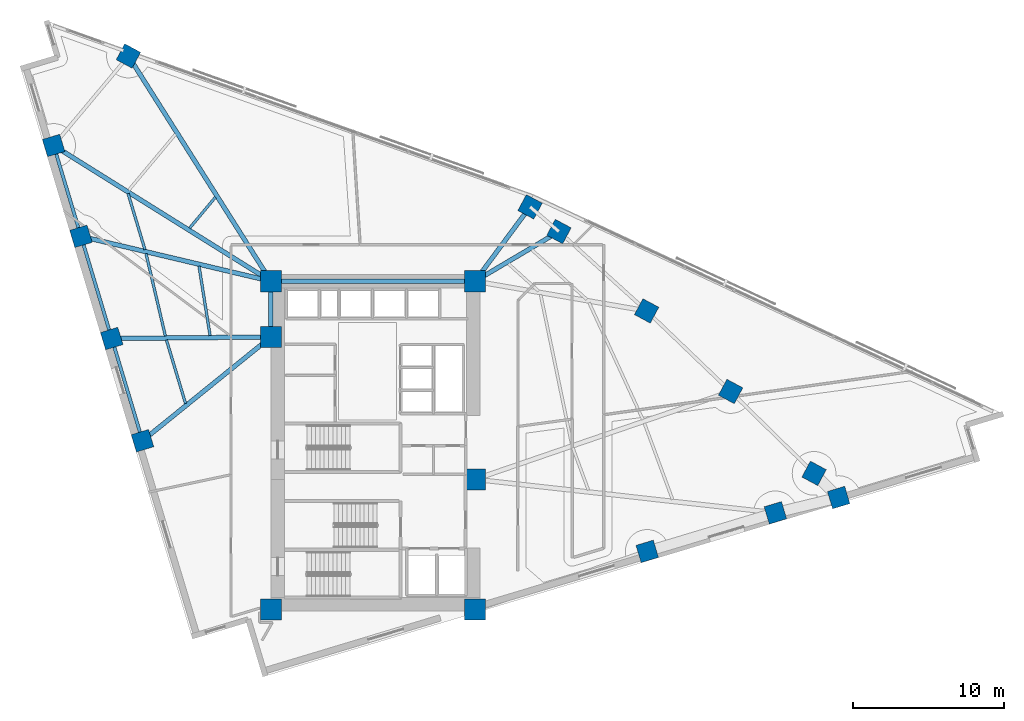
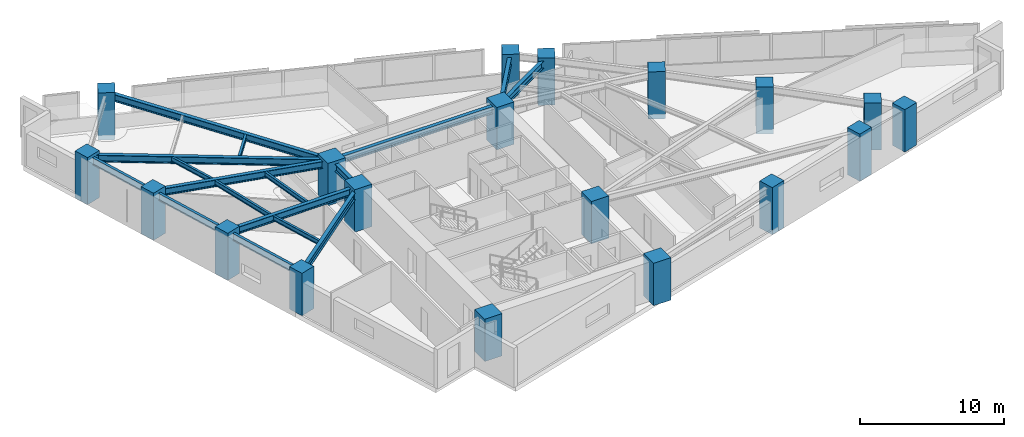
# One storey, part 1 of 16: 19 columns, 17 beams.
"""IFC4 building model written with IfcOpenShell, lengths in metres."""

from ifc_helpers import new_model, si_unit, direction, frame, origin, origin_2d, place, context, subcontext, project, spatial, rectangle, i_section, extrude, material, material_profile, profile_set, type_object, element, save


model = new_model("IFC4")

# Units and contexts
model_context = context("Model", 3, precision=1e-05, world=origin(), true_north=direction((0.0, 1.0)))
body_context = subcontext(model_context, "Body", "Model", "MODEL_VIEW")
ifc_project = project(units=[si_unit("LENGTHUNIT", "METRE"), si_unit("AREAUNIT", "SQUARE_METRE"), si_unit("VOLUMEUNIT", "CUBIC_METRE"), si_unit("PLANEANGLEUNIT", "RADIAN"), si_unit("MASSUNIT", "GRAM", prefix="KILO")], contexts=[model_context])

# Site, building, storey
site_placement = place(None, origin())
site = spatial("IfcSite", under=ifc_project, at=site_placement, CompositionType="ELEMENT")
building_placement = place(site_placement, origin())
building = spatial("IfcBuilding", under=site, at=building_placement, Name="Narakoshi Arena Tower", CompositionType="ELEMENT")
storey_placement = place(building_placement, frame((0.0, 0.0, 132.300048828125)))
storey = spatial("IfcBuildingStorey", under=building, at=storey_placement, Name="L35", CompositionType="ELEMENT", Elevation=132.300048828125)

# Columns
ifc_material_1 = material(Name="Concrete C60/75", Category="concrete")
ifc_material_profile_1 = material_profile(ifc_material_1, rectangle(XDim=1.199951171875, YDim=1.199951171875, at=origin_2d()), Name="RC1200x1200")
ifc_profile_set_1 = profile_set([ifc_material_profile_1], Name="Concrete C60/75")
column_type_1 = type_object("IfcColumnType", Name="COL-RC1200", PredefinedType="COLUMN", material=ifc_profile_set_1)
for number, where, z_axis, x_axis, name in (
    (1, (96.984619140625, 38.565185546875, -0.400146484375), (0.0, 0.0, 1.0), (0.957571360805, 0.288196268134, 0.0), "L35 Tower Perimeter Column TC02"),
    (2, (105.49365234375, 41.126220703125, -0.400146484375), (0.0, 0.0, 1.0), (0.957571360805, 0.288196268134, 0.0), "L35 Tower Perimeter Column TC03"),
):
    element("IfcColumn", number, at=place(storey_placement, frame(where, z_axis=z_axis, x_axis=x_axis)), inside=storey, type_object=column_type_1, Name=name, PredefinedType="COLUMN", context=body_context, shape_type="SweptSolid", body=[
        extrude(rectangle(XDim=1.199951171875, YDim=1.199951171875, at=origin_2d()), origin(), (0.0, 0.0, 1.0), 4.0),
    ])
column_1_placement = place(storey_placement, frame((109.692626953125, 42.13916015625, 0.0), z_axis=(0.0, 0.0, 1.0), x_axis=(0.957571360805, 0.288196268134, 0.0)))
element("IfcColumn", 3, at=column_1_placement, inside=storey, type_object=column_type_1, Name="L35 Tower Perimeter Column TC04", PredefinedType="COLUMN", context=body_context, shape_type="SweptSolid", body=[
    extrude(rectangle(XDim=1.199951171875, YDim=1.199951171875, at=origin_2d()), origin(), (0.0, 0.0, 1.0), 3.599853515625),
])
for number, where, z_axis, x_axis, name in (
    (4, (108.061279296875, 43.74560546875, -0.400146484375), (0.0, 0.0, 1.0), (0.473319667185, 0.880890738205, 0.0), "L35 Tower Perimeter Column TC05"),
    (5, (102.522216796875, 49.17919921875, -0.400146484375), (0.0, 0.0, 1.0), (0.473319667185, 0.880890738205, 0.0), "L35 Tower Perimeter Column TC06"),
    (6, (96.9443359375, 54.528076171875, -0.400146484375), (0.0, 0.0, 1.0), (0.473319667185, 0.880890738205, 0.0), "L35 Tower Perimeter Column TC07"),
    (7, (91.12646484375, 59.798095703125, -0.400146484375), (0.0, 0.0, 1.0), (0.473319667185, 0.880890738205, 0.0), "L35 Tower Perimeter Column TC08"),
):
    element("IfcColumn", number, at=place(storey_placement, frame(where, z_axis=z_axis, x_axis=x_axis)), inside=storey, type_object=column_type_1, Name=name, PredefinedType="COLUMN", context=body_context, shape_type="SweptSolid", body=[
        extrude(rectangle(XDim=1.199951171875, YDim=1.199951171875, at=origin_2d()), origin(), (0.0, 0.0, 1.0), 4.0),
    ])
column_2_placement = place(storey_placement, frame((89.206787109375, 61.437744140625, 0.0), z_axis=(0.0, 0.0, 1.0), x_axis=(0.473319667185, 0.880890738205, 0.0)))
element("IfcColumn", 8, at=column_2_placement, inside=storey, type_object=column_type_1, Name="L35 Tower Perimeter Column TC09", PredefinedType="COLUMN", context=body_context, shape_type="SweptSolid", body=[
    extrude(rectangle(XDim=1.199951171875, YDim=1.199951171875, at=origin_2d()), origin(), (0.0, 0.0, 1.0), 3.599853515625),
])
for number, where, z_axis, x_axis, name in (
    (9, (62.545166015625, 71.4501953125, -0.400146484375), (0.0, 0.0, 1.0), (0.473319667185, 0.880890738205, 0.0), "L35 Tower Perimeter Column TC11"),
    (10, (57.580810546875, 65.51220703125, -0.400146484375), (0.0, 0.0, 1.0), (-0.288196268134, 0.957571360805, 0.0), "L35 Tower Perimeter Column TC13"),
    (11, (59.39599609375, 59.481201171875, -0.400146484375), (0.0, 0.0, 1.0), (-0.288196268134, 0.957571360805, 0.0), "L35 Tower Perimeter Column TC14"),
    (12, (61.43798828125, 52.6962890625, -0.400146484375), (0.0, 0.0, 1.0), (-0.288196268134, 0.957571360805, 0.0), "L35 Tower Perimeter Column TC15"),
):
    element("IfcColumn", number, at=place(storey_placement, frame(where, z_axis=z_axis, x_axis=x_axis)), inside=storey, type_object=column_type_1, Name=name, PredefinedType="COLUMN", context=body_context, shape_type="SweptSolid", body=[
        extrude(rectangle(XDim=1.199951171875, YDim=1.199951171875, at=origin_2d()), origin(), (0.0, 0.0, 1.0), 4.0),
    ])
column_3_placement = place(storey_placement, frame((63.47998046875, 45.91162109375, 0.0), z_axis=(0.0, 0.0, 1.0), x_axis=(-0.288196268134, 0.957571360805, 0.0)))
element("IfcColumn", 13, at=column_3_placement, inside=storey, type_object=column_type_1, Name="L35 Tower Perimeter Column TC16", PredefinedType="COLUMN", context=body_context, shape_type="SweptSolid", body=[
    extrude(rectangle(XDim=1.199951171875, YDim=1.199951171875, at=origin_2d()), origin(), (0.0, 0.0, 1.0), 3.599853515625),
])
ifc_material_profile_2 = material_profile(ifc_material_1, rectangle(XDim=1.39990234375, YDim=1.39990234375, at=origin_2d()), Name="RC1400x1400")
ifc_profile_set_2 = profile_set([ifc_material_profile_2], Name="Concrete C60/75")
column_type_2 = type_object("IfcColumnType", Name="COL-RC1400", PredefinedType="COLUMN", material=ifc_profile_set_2)
for number, where, z_axis, x_axis, name in (
    (14, (72.0, 34.699951171875, 0.0), (0.0, 0.0, 1.0), (1.0, 0.0, 0.0), "L35 Core Structural Column CC1"),
    (15, (85.550048828125, 34.699951171875, 0.0), (0.0, 0.0, 1.0), (1.0, 0.0, 0.0), "L35 Core Structural Column CC2"),
    (16, (85.550048828125, 43.35009765625, 0.0), (0.0, 0.0, 1.0), (1.0, 0.0, 0.0), "L35 Core Structural Column CC3"),
    (17, (72.0, 52.800048828125, 0.0), (0.0, 0.0, 1.0), (1.0, 0.0, 0.0), "L35 Core Structural Column CC4"),
    (18, (72.0, 56.5, 0.0), (0.0, 0.0, 1.0), (1.0, 0.0, 0.0), "L35 Core Structural Column CC5"),
    (19, (85.550048828125, 56.5, 0.0), (0.0, 0.0, 1.0), (1.0, 0.0, 0.0), "L35 Core Structural Column CC6"),
):
    element("IfcColumn", number, at=place(storey_placement, frame(where, z_axis=z_axis, x_axis=x_axis)), inside=storey, type_object=column_type_2, Name=name, PredefinedType="COLUMN", context=body_context, shape_type="SweptSolid", body=[
        extrude(rectangle(XDim=1.39990234375, YDim=1.39990234375, at=origin_2d()), origin(), (0.0, 0.0, 1.0), 3.599853515625),
    ])

# Beams
ifc_material_2 = material(Name="Structural steel S355J2", Category="steel")
ifc_material_profile_3 = material_profile(ifc_material_2, i_section(OverallWidth=0.219970703125, OverallDepth=0.60009765625, WebThickness=0.011962890625, FlangeThickness=0.01904296875, FilletRadius=0.02392578125, at=origin_2d()), Name="IPE600")
ifc_profile_set_3 = profile_set([ifc_material_profile_3], Name="Structural steel S355J2")
beam_type_1 = type_object("IfcBeamType", Name="BM-EDGE-600", PredefinedType="BEAM", material=ifc_profile_set_3)
beam_1_placement = place(storey_placement, frame((57.580810546875, 65.51220703125, 3.0400390625), z_axis=(0.288204829742, -0.957568784011, 0.0), x_axis=(0.957568784011, 0.288204829742, 0.0)))
element("IfcBeam", 20, at=beam_1_placement, inside=storey, type_object=beam_type_1, Name="L35 Perimeter Edge Girder 10", PredefinedType="BEAM", context=body_context, shape_type="SweptSolid", body=[
    extrude(i_section(OverallWidth=0.219970703125, OverallDepth=0.60009765625, WebThickness=0.011962890625, FlangeThickness=0.01904296875, FilletRadius=0.02392578125, at=origin_2d()), origin(), (0.0, 0.0, 1.0), 6.29833984375),
])
beam_2_placement = place(storey_placement, frame((59.39599609375, 59.481201171875, 3.0400390625), z_axis=(0.28819179325, -0.957572707581, 0.0), x_axis=(0.957572707581, 0.28819179325, 0.0)))
element("IfcBeam", 21, at=beam_2_placement, inside=storey, type_object=beam_type_1, Name="L35 Perimeter Edge Girder 11", PredefinedType="BEAM", context=body_context, shape_type="SweptSolid", body=[
    extrude(i_section(OverallWidth=0.219970703125, OverallDepth=0.60009765625, WebThickness=0.011962890625, FlangeThickness=0.01904296875, FilletRadius=0.02392578125, at=origin_2d()), origin(), (0.0, 0.0, 1.0), 7.08544921875),
])
beam_3_placement = place(storey_placement, frame((61.43798828125, 52.6962890625, 3.0400390625), z_axis=(0.288201302245, -0.957569845695, 0.0), x_axis=(0.957569845695, 0.288201302245, 0.0)))
element("IfcBeam", 22, at=beam_3_placement, inside=storey, type_object=beam_type_1, Name="L35 Perimeter Edge Girder 12", PredefinedType="BEAM", context=body_context, shape_type="SweptSolid", body=[
    extrude(i_section(OverallWidth=0.219970703125, OverallDepth=0.60009765625, WebThickness=0.011962890625, FlangeThickness=0.01904296875, FilletRadius=0.02392578125, at=origin_2d()), origin(), (0.0, 0.0, 1.0), 7.085205078125),
])
ifc_material_profile_4 = material_profile(ifc_material_2, i_section(OverallWidth=0.300048828125, OverallDepth=0.60009765625, WebThickness=0.015380859375, FlangeThickness=0.030029296875, FilletRadius=0.027099609375, at=origin_2d()), Name="HE600B")
ifc_profile_set_4 = profile_set([ifc_material_profile_4], Name="Structural steel S355J2")
beam_type_2 = type_object("IfcBeamType", Name="BM-PRI-600", PredefinedType="BEAM", material=ifc_profile_set_4)
beam_4_placement = place(storey_placement, frame((85.550048828125, 56.5, 3.0400390625), z_axis=(0.860727657757, 0.509065712037, 0.0), x_axis=(-0.509065712037, 0.860727657757, 0.0)))
element("IfcBeam", 23, at=beam_4_placement, inside=storey, type_object=beam_type_2, Name="L35 Radial Primary Floor Girder 07", PredefinedType="BEAM", context=body_context, shape_type="SweptSolid", body=[
    extrude(i_section(OverallWidth=0.300048828125, OverallDepth=0.60009765625, WebThickness=0.015380859375, FlangeThickness=0.030029296875, FilletRadius=0.027099609375, at=origin_2d()), origin(), (0.0, 0.0, 1.0), 6.478759765625),
])
beam_5_placement = place(storey_placement, frame((85.550048828125, 56.5, 3.0400390625), z_axis=(0.595138224279, 0.803623353321, 0.0), x_axis=(-0.803623353321, 0.595138224279, 0.0)))
element("IfcBeam", 24, at=beam_5_placement, inside=storey, type_object=beam_type_2, Name="L35 Radial Primary Floor Girder 08", PredefinedType="BEAM", context=body_context, shape_type="SweptSolid", body=[
    extrude(i_section(OverallWidth=0.300048828125, OverallDepth=0.60009765625, WebThickness=0.015380859375, FlangeThickness=0.030029296875, FilletRadius=0.027099609375, at=origin_2d()), origin(), (0.0, 0.0, 1.0), 6.144287109375),
])
beam_6_placement = place(storey_placement, frame((72.0, 56.5, 3.0400390625), z_axis=(-0.534502303868, 0.845167017317, 0.0), x_axis=(-0.845167017317, -0.534502303868, 0.0)))
element("IfcBeam", 25, at=beam_6_placement, inside=storey, type_object=beam_type_2, Name="L35 Radial Primary Floor Girder 09", PredefinedType="BEAM", context=body_context, shape_type="SweptSolid", body=[
    extrude(i_section(OverallWidth=0.300048828125, OverallDepth=0.60009765625, WebThickness=0.015380859375, FlangeThickness=0.030029296875, FilletRadius=0.027099609375, at=origin_2d()), origin(), (0.0, 0.0, 1.0), 17.68896484375),
])
beam_7_placement = place(storey_placement, frame((72.0, 56.5, 3.0400390625), z_axis=(-0.847992657587, 0.530007974165, 0.0), x_axis=(-0.530007974165, -0.847992657587, 0.0)))
element("IfcBeam", 26, at=beam_7_placement, inside=storey, type_object=beam_type_2, Name="L35 Radial Primary Floor Girder 10", PredefinedType="BEAM", context=body_context, shape_type="SweptSolid", body=[
    extrude(i_section(OverallWidth=0.300048828125, OverallDepth=0.60009765625, WebThickness=0.015380859375, FlangeThickness=0.030029296875, FilletRadius=0.027099609375, at=origin_2d()), origin(), (0.0, 0.0, 1.0), 17.00390625),
])
beam_8_placement = place(storey_placement, frame((72.0, 56.5, 3.0400390625), z_axis=(-0.973148771856, 0.230177035857, 0.0), x_axis=(-0.230177035857, -0.973148771856, 0.0)))
element("IfcBeam", 27, at=beam_8_placement, inside=storey, type_object=beam_type_2, Name="L35 Radial Primary Floor Girder 11", PredefinedType="BEAM", context=body_context, shape_type="SweptSolid", body=[
    extrude(i_section(OverallWidth=0.300048828125, OverallDepth=0.60009765625, WebThickness=0.015380859375, FlangeThickness=0.030029296875, FilletRadius=0.027099609375, at=origin_2d()), origin(), (0.0, 0.0, 1.0), 12.95166015625),
])
beam_9_placement = place(storey_placement, frame((72.0, 52.800048828125, 3.0400390625), z_axis=(-0.999951749341, -0.009823389891, 0.0), x_axis=(0.009823389891, -0.999951749341, 0.0)))
element("IfcBeam", 28, at=beam_9_placement, inside=storey, type_object=beam_type_2, Name="L35 Radial Primary Floor Girder 12", PredefinedType="BEAM", context=body_context, shape_type="SweptSolid", body=[
    extrude(i_section(OverallWidth=0.300048828125, OverallDepth=0.60009765625, WebThickness=0.015380859375, FlangeThickness=0.030029296875, FilletRadius=0.027099609375, at=origin_2d()), origin(), (0.0, 0.0, 1.0), 10.5625),
])
beam_10_placement = place(storey_placement, frame((72.0, 52.800048828125, 3.0400390625), z_axis=(-0.777634431076, -0.628716702184, 0.0), x_axis=(0.628716702184, -0.777634431076, 0.0)))
element("IfcBeam", 29, at=beam_10_placement, inside=storey, type_object=beam_type_2, Name="L35 Radial Primary Floor Girder 13", PredefinedType="BEAM", context=body_context, shape_type="SweptSolid", body=[
    extrude(i_section(OverallWidth=0.300048828125, OverallDepth=0.60009765625, WebThickness=0.015380859375, FlangeThickness=0.030029296875, FilletRadius=0.027099609375, at=origin_2d()), origin(), (0.0, 0.0, 1.0), 10.956298828125),
])
beam_11_placement = place(storey_placement, frame((72.0, 52.800048828125, 3.0400390625), z_axis=(0.0, 1.0, 0.0), x_axis=(-1.0, 0.0, 0.0)))
element("IfcBeam", 30, at=beam_11_placement, inside=storey, type_object=beam_type_2, Name="L35 Core Perimeter Frame Beam CC4-CC5", PredefinedType="BEAM", context=body_context, shape_type="SweptSolid", body=[
    extrude(i_section(OverallWidth=0.300048828125, OverallDepth=0.60009765625, WebThickness=0.015380859375, FlangeThickness=0.030029296875, FilletRadius=0.027099609375, at=origin_2d()), origin(), (0.0, 0.0, 1.0), 3.699951171875),
])
beam_12_placement = place(storey_placement, frame((72.0, 56.5, 3.0400390625), z_axis=(1.0, 0.0, 0.0), x_axis=(0.0, 1.0, 0.0)))
element("IfcBeam", 31, at=beam_12_placement, inside=storey, type_object=beam_type_2, Name="L35 Core Perimeter Frame Beam CC5-CC6", PredefinedType="BEAM", context=body_context, shape_type="SweptSolid", body=[
    extrude(i_section(OverallWidth=0.300048828125, OverallDepth=0.60009765625, WebThickness=0.015380859375, FlangeThickness=0.030029296875, FilletRadius=0.027099609375, at=origin_2d()), origin(), (0.0, 0.0, 1.0), 13.550048828125),
])
ifc_material_profile_5 = material_profile(ifc_material_2, i_section(OverallWidth=0.179931640625, OverallDepth=0.39990234375, WebThickness=0.008544921875, FlangeThickness=0.013427734375, FilletRadius=0.02099609375, at=origin_2d()), Name="IPE400")
ifc_profile_set_5 = profile_set([ifc_material_profile_5], Name="Structural steel S355J2")
beam_type_3 = type_object("IfcBeamType", Name="BM-SEC-400", PredefinedType="JOIST", material=ifc_profile_set_5)
beam_13_placement = place(storey_placement, frame((68.320556640625, 62.077392578125, 3.139892578125), z_axis=(-0.64141534739, -0.767193816537, 0.0), x_axis=(0.767193816537, -0.64141534739, 0.0)))
element("IfcBeam", 32, at=beam_13_placement, inside=storey, type_object=beam_type_3, Name="L35 Composite Secondary Floor Joist 07", PredefinedType="JOIST", context=body_context, shape_type="SweptSolid", body=[
    extrude(i_section(OverallWidth=0.179931640625, OverallDepth=0.39990234375, WebThickness=0.008544921875, FlangeThickness=0.013427734375, FilletRadius=0.02099609375, at=origin_2d()), origin(), (0.0, 0.0, 1.0), 2.6708984375),
])
beam_14_placement = place(storey_placement, frame((62.522216796875, 62.318603515625, 3.139892578125), z_axis=(0.288258285881, -0.957552693391, 0.0), x_axis=(0.957552693391, 0.288258285881, 0.0)))
element("IfcBeam", 33, at=beam_14_placement, inside=storey, type_object=beam_type_3, Name="L35 Composite Secondary Floor Joist 09", PredefinedType="JOIST", context=body_context, shape_type="SweptSolid", body=[
    extrude(i_section(OverallWidth=0.179931640625, OverallDepth=0.39990234375, WebThickness=0.008544921875, FlangeThickness=0.013427734375, FilletRadius=0.02099609375, at=origin_2d()), origin(), (0.0, 0.0, 1.0), 3.88671875),
])
beam_15_placement = place(storey_placement, frame((67.231689453125, 57.49951171875, 3.139892578125), z_axis=(0.157263582495, -0.987556664511, 0.0), x_axis=(0.987556664511, 0.157263582495, 0.0)))
element("IfcBeam", 34, at=beam_15_placement, inside=storey, type_object=beam_type_3, Name="L35 Composite Secondary Floor Joist 10", PredefinedType="JOIST", context=body_context, shape_type="SweptSolid", body=[
    extrude(i_section(OverallWidth=0.179931640625, OverallDepth=0.39990234375, WebThickness=0.008544921875, FlangeThickness=0.013427734375, FilletRadius=0.02099609375, at=origin_2d()), origin(), (0.0, 0.0, 1.0), 4.66357421875),
])
beam_16_placement = place(storey_placement, frame((63.712158203125, 58.336181640625, 3.139892578125), z_axis=(0.228758561982, -0.973483189542, 0.0), x_axis=(0.973483189542, 0.228758561982, 0.0)))
element("IfcBeam", 35, at=beam_16_placement, inside=storey, type_object=beam_type_3, Name="L35 Composite Secondary Floor Joist 11", PredefinedType="JOIST", context=body_context, shape_type="SweptSolid", body=[
    extrude(i_section(OverallWidth=0.179931640625, OverallDepth=0.39990234375, WebThickness=0.008544921875, FlangeThickness=0.013427734375, FilletRadius=0.02099609375, at=origin_2d()), origin(), (0.0, 0.0, 1.0), 5.622314453125),
])
beam_17_placement = place(storey_placement, frame((65.068115234375, 52.602294921875, 3.139892578125), z_axis=(0.288166161621, -0.957580421321, 0.0), x_axis=(0.957580421321, 0.288166161621, 0.0)))
element("IfcBeam", 36, at=beam_17_placement, inside=storey, type_object=beam_type_3, Name="L35 Composite Secondary Floor Joist 12", PredefinedType="JOIST", context=body_context, shape_type="SweptSolid", body=[
    extrude(i_section(OverallWidth=0.179931640625, OverallDepth=0.39990234375, WebThickness=0.008544921875, FlangeThickness=0.013427734375, FilletRadius=0.02099609375, at=origin_2d()), origin(), (0.0, 0.0, 1.0), 4.406494140625),
])

save(model, "model.ifc")
